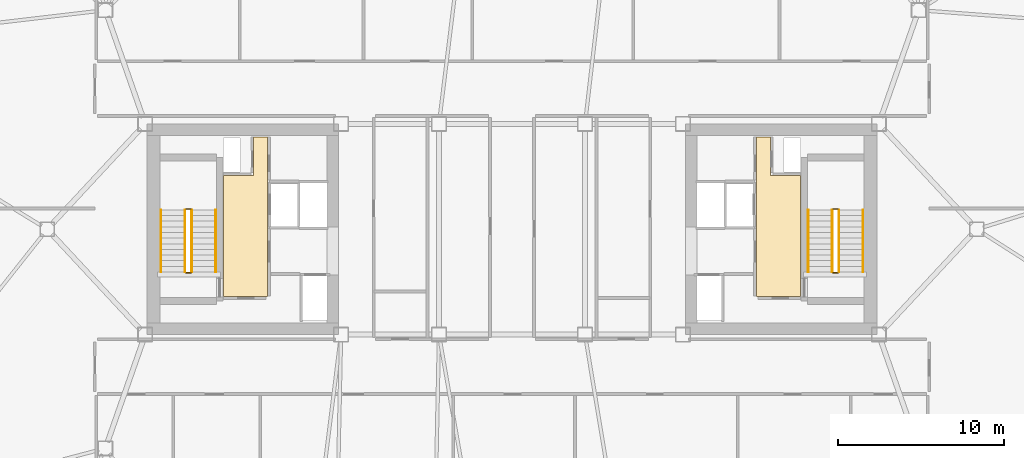
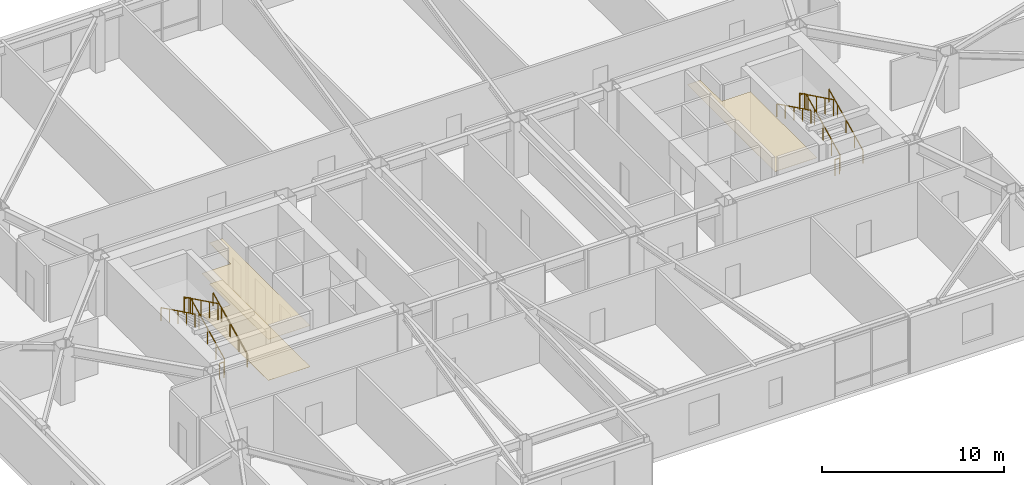
# One storey, part 16 of 16: 12 railings, 3 coverings.
"""IFC4 building model written with IfcOpenShell, lengths in metres."""

from ifc_helpers import new_model, si_unit, direction, frame, origin, origin_2d, place, context, subcontext, project, spatial, polyline, rectangle, outline, extrude, material, layer, layer_set, type_object, element, save


model = new_model("IFC4")

# Units and contexts
model_context = context("Model", 3, precision=1e-05, world=origin(), true_north=direction((0.0, 1.0)))
body_context = subcontext(model_context, "Body", "Model", "MODEL_VIEW")
ifc_project = project(units=[si_unit("LENGTHUNIT", "METRE"), si_unit("AREAUNIT", "SQUARE_METRE"), si_unit("VOLUMEUNIT", "CUBIC_METRE"), si_unit("PLANEANGLEUNIT", "RADIAN"), si_unit("MASSUNIT", "GRAM", prefix="KILO")], contexts=[model_context])

# Site, building, storey
site_placement = place(None, origin())
site = spatial("IfcSite", under=ifc_project, at=site_placement, CompositionType="ELEMENT")
building_placement = place(site_placement, origin())
building = spatial("IfcBuilding", under=site, at=building_placement, Name="Tavrogorsk Clinical Tower", CompositionType="ELEMENT")
storey_placement = place(building_placement, frame((0.0, 0.0, 164.199951171875)))
storey = spatial("IfcBuildingStorey", under=building, at=storey_placement, Name="L37", CompositionType="ELEMENT", Elevation=164.199951171875)

# Coverings
ifc_material_1 = material(Name="Antibacterial micro-perforated aluminium ceiling", Category="aluminium")
ifc_layer_1 = layer(ifc_material_1, 0.014892578125)
ifc_layer_set_1 = layer_set([ifc_layer_1], Name="Antibacterial micro-perforated aluminium ceiling")
covering_type_1 = type_object("IfcCoveringType", Name="ClinicalCeiling_15", PredefinedType="CEILING", material=ifc_layer_set_1)
covering_1_placement = place(storey_placement, frame((0.0, 0.0, 2.75)))
element("IfcCovering", 1, at=covering_1_placement, inside=storey, type_object=covering_type_1, Name="Core West Firefighting Lift Lobby Acoustic Ceiling", PredefinedType="CEILING", context=body_context, shape_type="SweptSolid", body=[
    extrude(outline(polyline([(-14.719970703125, 5.56005859375), (-14.719970703125, -4.06005859375), (-17.3798828125, -4.06005859375), (-17.3798828125, 3.239990234375), (-15.56005859375, 3.239990234375), (-15.56005859375, 5.56005859375), (-14.719970703125, 5.56005859375)])), origin(), (0.0, 0.0, 1.0), 0.01513671875),
])
covering_2_placement = place(storey_placement, frame((0.0, 0.0, 2.75)))
element("IfcCovering", 2, at=covering_2_placement, inside=storey, type_object=covering_type_1, Name="Core East Firefighting Lift Lobby Acoustic Ceiling", PredefinedType="CEILING", context=body_context, shape_type="SweptSolid", body=[
    extrude(outline(polyline([(17.3798828125, -4.06005859375), (14.719970703125, -4.06005859375), (14.719970703125, 5.56005859375), (15.56005859375, 5.56005859375), (15.56005859375, 3.239990234375), (17.3798828125, 3.239990234375), (17.3798828125, -4.06005859375)])), origin(), (0.0, 0.0, 1.0), 0.01513671875),
])
ifc_material_2 = material(Name="Homogeneous medical conductive PVC flooring")
ifc_layer_2 = layer(ifc_material_2, 0.008056640625)
ifc_layer_set_2 = layer_set([ifc_layer_2], Name="Homogeneous medical conductive PVC flooring")
covering_type_2 = type_object("IfcCoveringType", Name="ResilientVinylFloor_8", PredefinedType="FLOORING", material=ifc_layer_set_2)
covering_3_placement = place(storey_placement, origin())
element("IfcCovering", 3, at=covering_3_placement, inside=storey, type_object=covering_type_2, Name="Core West Firefighting Lift Lobby Conductive Vinyl Flooring", PredefinedType="FLOORING", context=body_context, shape_type="SweptSolid", body=[
    extrude(outline(polyline([(-14.719970703125, 5.56005859375), (-14.719970703125, -4.06005859375), (-17.3798828125, -4.06005859375), (-17.3798828125, 3.239990234375), (-15.56005859375, 3.239990234375), (-15.56005859375, 5.56005859375), (-14.719970703125, 5.56005859375)])), origin(), (0.0, 0.0, 1.0), 0.008056640625),
])

# Railings
ifc_material_3 = material(Name="Galvanised steel S355 safety stairwell guard", Category="steel")
ifc_layer_3 = layer(ifc_material_3, 0.06005859375)
ifc_layer_set_3 = layer_set([ifc_layer_3], Name="Galvanised steel S355 safety stairwell guard")
railing_type_1 = type_object("IfcRailingType", Name="StairGuard_1150", PredefinedType="GUARDRAIL", material=ifc_layer_set_3)
railing_1_placement = place(storey_placement, frame((-19.300048828125, -2.574951171875, 0.166748046875)))
element("IfcRailing", 4, at=railing_1_placement, inside=storey, type_object=railing_type_1, Name="L37 ST-W stair guard 1", PredefinedType="GUARDRAIL", context=body_context, shape_type="SweptSolid", body=[
    extrude(rectangle(XDim=0.048095703125, YDim=0.048095703125, at=origin_2d()), frame((0.0, 0.0, 1.076171875), z_axis=(0.0, 0.897927990467, 0.440142390523), x_axis=(-1.0, 0.0, 0.0)), (0.0, 0.0, 1.0), 4.1650390625),
    extrude(rectangle(XDim=0.0419921875, YDim=0.0419921875, at=origin_2d()), origin(), (0.0, 0.0, 1.0), 1.052001953125),
    extrude(rectangle(XDim=0.0419921875, YDim=0.0419921875, at=origin_2d()), frame((0.0, 0.93505859375, 0.458251953125)), (0.0, 0.0, 1.0), 1.052001953125),
    extrude(rectangle(XDim=0.0419921875, YDim=0.0419921875, at=origin_2d()), frame((0.0, 1.8701171875, 0.91650390625)), (0.0, 0.0, 1.0), 1.052001953125),
    extrude(rectangle(XDim=0.0419921875, YDim=0.0419921875, at=origin_2d()), frame((0.0, 2.804931640625, 1.375)), (0.0, 0.0, 1.0), 1.052001953125),
    extrude(rectangle(XDim=0.0419921875, YDim=0.0419921875, at=origin_2d()), frame((0.0, 3.739990234375, 1.833251953125)), (0.0, 0.0, 1.0), 1.052001953125),
])
railing_2_placement = place(storey_placement, frame((-19.35009765625, 1.215087890625, 2.0)))
element("IfcRailing", 5, at=railing_2_placement, inside=storey, type_object=railing_type_1, Name="L37 ST-W stair guard 2", PredefinedType="GUARDRAIL", context=body_context, shape_type="SweptSolid", body=[
    extrude(rectangle(XDim=0.048095703125, YDim=0.048095703125, at=origin_2d()), frame((0.0, 0.0, 1.076171875), z_axis=(-1.0, 0.0, 0.0), x_axis=(0.0, -1.0, 0.0)), (0.0, 0.0, 1.0), 0.2998046875),
    extrude(rectangle(XDim=0.0419921875, YDim=0.0419921875, at=origin_2d()), origin(), (0.0, 0.0, 1.0), 1.052001953125),
    extrude(rectangle(XDim=0.0419921875, YDim=0.0419921875, at=origin_2d()), frame((-0.2998046875, 0.0, 0.0)), (0.0, 0.0, 1.0), 1.052001953125),
])
railing_3_placement = place(storey_placement, frame((-19.699951171875, 1.1650390625, 2.166748046875)))
element("IfcRailing", 6, at=railing_3_placement, inside=storey, type_object=railing_type_1, Name="L37 ST-W stair guard 3", PredefinedType="GUARDRAIL", context=body_context, shape_type="SweptSolid", body=[
    extrude(rectangle(XDim=0.048095703125, YDim=0.048095703125, at=origin_2d()), frame((0.0, 0.0, 1.076171875), z_axis=(0.0, -0.897927990467, 0.440142390523), x_axis=(1.0, 0.0, 0.0)), (0.0, 0.0, 1.0), 4.1650390625),
    extrude(rectangle(XDim=0.0419921875, YDim=0.0419921875, at=origin_2d()), origin(), (0.0, 0.0, 1.0), 1.052001953125),
    extrude(rectangle(XDim=0.0419921875, YDim=0.0419921875, at=origin_2d()), frame((0.0, -0.93505859375, 0.458251953125)), (0.0, 0.0, 1.0), 1.052001953125),
    extrude(rectangle(XDim=0.0419921875, YDim=0.0419921875, at=origin_2d()), frame((0.0, -1.8701171875, 0.91650390625)), (0.0, 0.0, 1.0), 1.052001953125),
    extrude(rectangle(XDim=0.0419921875, YDim=0.0419921875, at=origin_2d()), frame((0.0, -2.804931640625, 1.375)), (0.0, 0.0, 1.0), 1.052001953125),
    extrude(rectangle(XDim=0.0419921875, YDim=0.0419921875, at=origin_2d()), frame((0.0, -3.739990234375, 1.833251953125)), (0.0, 0.0, 1.0), 1.052001953125),
])
railing_4_placement = place(storey_placement, frame((-19.35009765625, -2.625, 0.0)))
element("IfcRailing", 7, at=railing_4_placement, inside=storey, type_object=railing_type_1, Name="L37 ST-W stair guard 4", PredefinedType="GUARDRAIL", context=body_context, shape_type="SweptSolid", body=[
    extrude(rectangle(XDim=0.048095703125, YDim=0.048095703125, at=origin_2d()), frame((0.0, 0.0, 1.076171875), z_axis=(-1.0, 0.0, 0.0), x_axis=(0.0, -1.0, 0.0)), (0.0, 0.0, 1.0), 0.2998046875),
    extrude(rectangle(XDim=0.0419921875, YDim=0.0419921875, at=origin_2d()), origin(), (0.0, 0.0, 1.0), 1.052001953125),
    extrude(rectangle(XDim=0.0419921875, YDim=0.0419921875, at=origin_2d()), frame((-0.2998046875, 0.0, 0.0)), (0.0, 0.0, 1.0), 1.052001953125),
])
railing_5_placement = place(storey_placement, frame((19.699951171875, -2.574951171875, 0.166748046875)))
element("IfcRailing", 8, at=railing_5_placement, inside=storey, type_object=railing_type_1, Name="L37 ST-E stair guard 1", PredefinedType="GUARDRAIL", context=body_context, shape_type="SweptSolid", body=[
    extrude(rectangle(XDim=0.048095703125, YDim=0.048095703125, at=origin_2d()), frame((0.0, 0.0, 1.076171875), z_axis=(0.0, 0.897927990467, 0.440142390523), x_axis=(-1.0, 0.0, 0.0)), (0.0, 0.0, 1.0), 4.1650390625),
    extrude(rectangle(XDim=0.0419921875, YDim=0.0419921875, at=origin_2d()), origin(), (0.0, 0.0, 1.0), 1.052001953125),
    extrude(rectangle(XDim=0.0419921875, YDim=0.0419921875, at=origin_2d()), frame((0.0, 0.93505859375, 0.458251953125)), (0.0, 0.0, 1.0), 1.052001953125),
    extrude(rectangle(XDim=0.0419921875, YDim=0.0419921875, at=origin_2d()), frame((0.0, 1.8701171875, 0.91650390625)), (0.0, 0.0, 1.0), 1.052001953125),
    extrude(rectangle(XDim=0.0419921875, YDim=0.0419921875, at=origin_2d()), frame((0.0, 2.804931640625, 1.375)), (0.0, 0.0, 1.0), 1.052001953125),
    extrude(rectangle(XDim=0.0419921875, YDim=0.0419921875, at=origin_2d()), frame((0.0, 3.739990234375, 1.833251953125)), (0.0, 0.0, 1.0), 1.052001953125),
])
railing_6_placement = place(storey_placement, frame((19.64990234375, 1.215087890625, 2.0)))
element("IfcRailing", 9, at=railing_6_placement, inside=storey, type_object=railing_type_1, Name="L37 ST-E stair guard 2", PredefinedType="GUARDRAIL", context=body_context, shape_type="SweptSolid", body=[
    extrude(rectangle(XDim=0.048095703125, YDim=0.048095703125, at=origin_2d()), frame((0.0, 0.0, 1.076171875), z_axis=(-1.0, 0.0, 0.0), x_axis=(0.0, -1.0, 0.0)), (0.0, 0.0, 1.0), 0.2998046875),
    extrude(rectangle(XDim=0.0419921875, YDim=0.0419921875, at=origin_2d()), origin(), (0.0, 0.0, 1.0), 1.052001953125),
    extrude(rectangle(XDim=0.0419921875, YDim=0.0419921875, at=origin_2d()), frame((-0.2998046875, 0.0, 0.0)), (0.0, 0.0, 1.0), 1.052001953125),
])
railing_7_placement = place(storey_placement, frame((19.300048828125, 1.1650390625, 2.166748046875)))
element("IfcRailing", 10, at=railing_7_placement, inside=storey, type_object=railing_type_1, Name="L37 ST-E stair guard 3", PredefinedType="GUARDRAIL", context=body_context, shape_type="SweptSolid", body=[
    extrude(rectangle(XDim=0.048095703125, YDim=0.048095703125, at=origin_2d()), frame((0.0, 0.0, 1.076171875), z_axis=(0.0, -0.897927990467, 0.440142390523), x_axis=(1.0, 0.0, 0.0)), (0.0, 0.0, 1.0), 4.1650390625),
    extrude(rectangle(XDim=0.0419921875, YDim=0.0419921875, at=origin_2d()), origin(), (0.0, 0.0, 1.0), 1.052001953125),
    extrude(rectangle(XDim=0.0419921875, YDim=0.0419921875, at=origin_2d()), frame((0.0, -0.93505859375, 0.458251953125)), (0.0, 0.0, 1.0), 1.052001953125),
    extrude(rectangle(XDim=0.0419921875, YDim=0.0419921875, at=origin_2d()), frame((0.0, -1.8701171875, 0.91650390625)), (0.0, 0.0, 1.0), 1.052001953125),
    extrude(rectangle(XDim=0.0419921875, YDim=0.0419921875, at=origin_2d()), frame((0.0, -2.804931640625, 1.375)), (0.0, 0.0, 1.0), 1.052001953125),
    extrude(rectangle(XDim=0.0419921875, YDim=0.0419921875, at=origin_2d()), frame((0.0, -3.739990234375, 1.833251953125)), (0.0, 0.0, 1.0), 1.052001953125),
])
railing_8_placement = place(storey_placement, frame((19.64990234375, -2.625, 0.0)))
element("IfcRailing", 11, at=railing_8_placement, inside=storey, type_object=railing_type_1, Name="L37 ST-E stair guard 4", PredefinedType="GUARDRAIL", context=body_context, shape_type="SweptSolid", body=[
    extrude(rectangle(XDim=0.048095703125, YDim=0.048095703125, at=origin_2d()), frame((0.0, 0.0, 1.076171875), z_axis=(-1.0, 0.0, 0.0), x_axis=(0.0, -1.0, 0.0)), (0.0, 0.0, 1.0), 0.2998046875),
    extrude(rectangle(XDim=0.0419921875, YDim=0.0419921875, at=origin_2d()), origin(), (0.0, 0.0, 1.0), 1.052001953125),
    extrude(rectangle(XDim=0.0419921875, YDim=0.0419921875, at=origin_2d()), frame((-0.2998046875, 0.0, 0.0)), (0.0, 0.0, 1.0), 1.052001953125),
])
ifc_material_4 = material(Name="Stainless steel AISI 304 tubular handrail", Category="steel")
ifc_layer_4 = layer(ifc_material_4, 0.050048828125)
ifc_layer_set_4 = layer_set([ifc_layer_4], Name="Stainless steel AISI 304 tubular handrail")
railing_type_2 = type_object("IfcRailingType", Name="StairHandrail_920", PredefinedType="HANDRAIL", material=ifc_layer_set_4)
railing_9_placement = place(storey_placement, frame((-17.85009765625, -2.574951171875, 0.166748046875)))
element("IfcRailing", 12, at=railing_9_placement, inside=storey, type_object=railing_type_2, Name="L37 ST-W stair handrail 1", PredefinedType="HANDRAIL", context=body_context, shape_type="SweptSolid", body=[
    extrude(rectangle(XDim=0.048095703125, YDim=0.048095703125, at=origin_2d()), frame((0.0, 0.0, 0.8759765625), z_axis=(0.0, 0.897927990467, 0.440142390523), x_axis=(-1.0, 0.0, 0.0)), (0.0, 0.0, 1.0), 4.1650390625),
    extrude(rectangle(XDim=0.0419921875, YDim=0.0419921875, at=origin_2d()), origin(), (0.0, 0.0, 1.0), 0.851806640625),
    extrude(rectangle(XDim=0.0419921875, YDim=0.0419921875, at=origin_2d()), frame((0.0, 0.93505859375, 0.458251953125)), (0.0, 0.0, 1.0), 0.851806640625),
    extrude(rectangle(XDim=0.0419921875, YDim=0.0419921875, at=origin_2d()), frame((0.0, 1.8701171875, 0.91650390625)), (0.0, 0.0, 1.0), 0.851806640625),
    extrude(rectangle(XDim=0.0419921875, YDim=0.0419921875, at=origin_2d()), frame((0.0, 2.804931640625, 1.375)), (0.0, 0.0, 1.0), 0.851806640625),
    extrude(rectangle(XDim=0.0419921875, YDim=0.0419921875, at=origin_2d()), frame((0.0, 3.739990234375, 1.833251953125)), (0.0, 0.0, 1.0), 0.851806640625),
])
railing_10_placement = place(storey_placement, frame((-21.14990234375, 1.1650390625, 2.166748046875)))
element("IfcRailing", 13, at=railing_10_placement, inside=storey, type_object=railing_type_2, Name="L37 ST-W stair handrail 2", PredefinedType="HANDRAIL", context=body_context, shape_type="SweptSolid", body=[
    extrude(rectangle(XDim=0.048095703125, YDim=0.048095703125, at=origin_2d()), frame((0.0, 0.0, 0.8759765625), z_axis=(0.0, -0.897927990467, 0.440142390523), x_axis=(1.0, 0.0, 0.0)), (0.0, 0.0, 1.0), 4.1650390625),
    extrude(rectangle(XDim=0.0419921875, YDim=0.0419921875, at=origin_2d()), origin(), (0.0, 0.0, 1.0), 0.851806640625),
    extrude(rectangle(XDim=0.0419921875, YDim=0.0419921875, at=origin_2d()), frame((0.0, -0.93505859375, 0.458251953125)), (0.0, 0.0, 1.0), 0.851806640625),
    extrude(rectangle(XDim=0.0419921875, YDim=0.0419921875, at=origin_2d()), frame((0.0, -1.8701171875, 0.91650390625)), (0.0, 0.0, 1.0), 0.851806640625),
    extrude(rectangle(XDim=0.0419921875, YDim=0.0419921875, at=origin_2d()), frame((0.0, -2.804931640625, 1.375)), (0.0, 0.0, 1.0), 0.851806640625),
    extrude(rectangle(XDim=0.0419921875, YDim=0.0419921875, at=origin_2d()), frame((0.0, -3.739990234375, 1.833251953125)), (0.0, 0.0, 1.0), 0.851806640625),
])
railing_11_placement = place(storey_placement, frame((21.14990234375, -2.574951171875, 0.166748046875)))
element("IfcRailing", 14, at=railing_11_placement, inside=storey, type_object=railing_type_2, Name="L37 ST-E stair handrail 1", PredefinedType="HANDRAIL", context=body_context, shape_type="SweptSolid", body=[
    extrude(rectangle(XDim=0.048095703125, YDim=0.048095703125, at=origin_2d()), frame((0.0, 0.0, 0.8759765625), z_axis=(0.0, 0.897927990467, 0.440142390523), x_axis=(-1.0, 0.0, 0.0)), (0.0, 0.0, 1.0), 4.1650390625),
    extrude(rectangle(XDim=0.0419921875, YDim=0.0419921875, at=origin_2d()), origin(), (0.0, 0.0, 1.0), 0.851806640625),
    extrude(rectangle(XDim=0.0419921875, YDim=0.0419921875, at=origin_2d()), frame((0.0, 0.93505859375, 0.458251953125)), (0.0, 0.0, 1.0), 0.851806640625),
    extrude(rectangle(XDim=0.0419921875, YDim=0.0419921875, at=origin_2d()), frame((0.0, 1.8701171875, 0.91650390625)), (0.0, 0.0, 1.0), 0.851806640625),
    extrude(rectangle(XDim=0.0419921875, YDim=0.0419921875, at=origin_2d()), frame((0.0, 2.804931640625, 1.375)), (0.0, 0.0, 1.0), 0.851806640625),
    extrude(rectangle(XDim=0.0419921875, YDim=0.0419921875, at=origin_2d()), frame((0.0, 3.739990234375, 1.833251953125)), (0.0, 0.0, 1.0), 0.851806640625),
])
railing_12_placement = place(storey_placement, frame((17.85009765625, 1.1650390625, 2.166748046875)))
element("IfcRailing", 15, at=railing_12_placement, inside=storey, type_object=railing_type_2, Name="L37 ST-E stair handrail 2", PredefinedType="HANDRAIL", context=body_context, shape_type="SweptSolid", body=[
    extrude(rectangle(XDim=0.048095703125, YDim=0.048095703125, at=origin_2d()), frame((0.0, 0.0, 0.8759765625), z_axis=(0.0, -0.897927990467, 0.440142390523), x_axis=(1.0, 0.0, 0.0)), (0.0, 0.0, 1.0), 4.1650390625),
    extrude(rectangle(XDim=0.0419921875, YDim=0.0419921875, at=origin_2d()), origin(), (0.0, 0.0, 1.0), 0.851806640625),
    extrude(rectangle(XDim=0.0419921875, YDim=0.0419921875, at=origin_2d()), frame((0.0, -0.93505859375, 0.458251953125)), (0.0, 0.0, 1.0), 0.851806640625),
    extrude(rectangle(XDim=0.0419921875, YDim=0.0419921875, at=origin_2d()), frame((0.0, -1.8701171875, 0.91650390625)), (0.0, 0.0, 1.0), 0.851806640625),
    extrude(rectangle(XDim=0.0419921875, YDim=0.0419921875, at=origin_2d()), frame((0.0, -2.804931640625, 1.375)), (0.0, 0.0, 1.0), 0.851806640625),
    extrude(rectangle(XDim=0.0419921875, YDim=0.0419921875, at=origin_2d()), frame((0.0, -3.739990234375, 1.833251953125)), (0.0, 0.0, 1.0), 0.851806640625),
])

save(model, "model.ifc")
